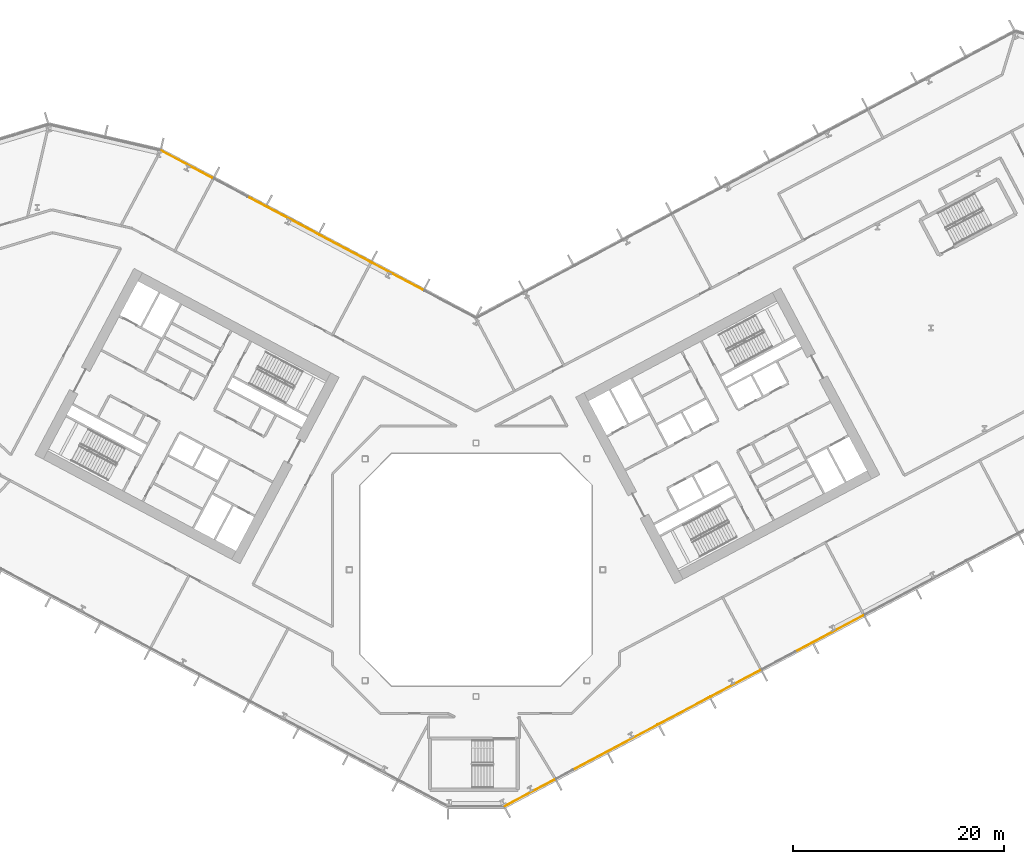
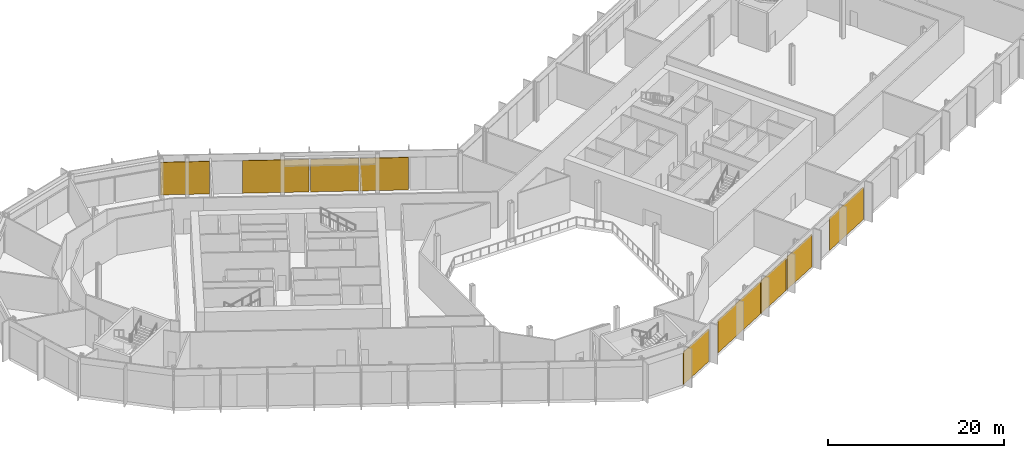
# One storey, part 26 of 31: 9 coverings, 2 elements without a shape of their own.
"""IFC4 building model written with IfcOpenShell, lengths in metres."""

from ifc_helpers import new_model, si_unit, direction, frame, origin, origin_2d, place, context, subcontext, project, spatial, rectangle, extrude, material, layer, layer_set, type_object, element, aggregate, save


model = new_model("IFC4")

# Units and contexts
model_context = context("Model", 3, precision=1e-05, world=origin(), true_north=direction((0.0, 1.0)))
body_context = subcontext(model_context, "Body", "Model", "MODEL_VIEW")
ifc_project = project(units=[si_unit("LENGTHUNIT", "METRE"), si_unit("AREAUNIT", "SQUARE_METRE"), si_unit("VOLUMEUNIT", "CUBIC_METRE"), si_unit("PLANEANGLEUNIT", "RADIAN"), si_unit("MASSUNIT", "GRAM", prefix="KILO")], contexts=[model_context])

# Site, building, storey
site_placement = place(None, origin())
site = spatial("IfcSite", under=ifc_project, at=site_placement, CompositionType="ELEMENT")
building_placement = place(site_placement, origin())
building = spatial("IfcBuilding", under=site, at=building_placement, Name="Cormorant Relay Tower", CompositionType="ELEMENT")
storey_placement = place(building_placement, frame((0.0, 0.0, 23.0)))
storey = spatial("IfcBuildingStorey", under=building, at=storey_placement, Name="L04", CompositionType="ELEMENT", Elevation=23.0)

# Curtain wall, coverings
ifc_material_1 = material(Name="Aluminium 6063-T6 anodised bronze", Category="aluminium")
ifc_layer_1 = layer(ifc_material_1, 0.235107421875)
ifc_layer_set_1 = layer_set([ifc_layer_1], Name="CW6 data hall curtain wall with mineral wool panels")
curtain_wall_type = type_object("IfcCurtainWallType", Name="CW6 data hall curtain wall with mineral wool panels", PredefinedType="NOTDEFINED", material=ifc_layer_set_1)
curtain_wall_1_placement = place(storey_placement, origin())
curtain_wall_1 = element("IfcCurtainWall", 1, at=curtain_wall_1_placement, inside=storey, type_object=curtain_wall_type, Name="CW6 curtain wall 2", PredefinedType="NOTDEFINED")
ifc_material_2 = material(Name="Mineral wool cored anodised bronze aluminium cassette panel", Category="aluminium")
ifc_layer_2 = layer(ifc_material_2, 0.074951171875)
ifc_layer_set_2 = layer_set([ifc_layer_2], Name="CW6 mineral wool cassette panel 75")
covering_type = type_object("IfcCoveringType", Name="CW6 mineral wool cassette panel 75", PredefinedType="CLADDING", material=ifc_layer_set_2)
covering_1_placement = place(storey_placement, frame((5.099853515625, -21.11474609375, 0.0), z_axis=(0.0, 0.0, 1.0), x_axis=(0.882947592859, 0.469471562786, 0.0)))
covering_1 = element("IfcCovering", 2, at=covering_1_placement, type_object=covering_type, Name="CW6 panel S00", PredefinedType="CLADDING", context=body_context, shape_type="SweptSolid", body=[
    extrude(rectangle(XDim=5.36181640625, YDim=0.074951171875, at=origin_2d()), origin(), (0.0, 0.0, 1.0), 4.5),
])
covering_2_placement = place(storey_placement, frame((13.1943359375, -16.810791015625, 0.0), z_axis=(0.0, 0.0, 1.0), x_axis=(0.882947592859, 0.469471562786, 0.0)))
covering_2 = element("IfcCovering", 3, at=covering_2_placement, type_object=covering_type, Name="CW6 panel S02", PredefinedType="CLADDING", context=body_context, shape_type="SweptSolid", body=[
    extrude(rectangle(XDim=9.07373046875, YDim=0.074951171875, at=origin_2d()), origin(), (0.0, 0.0, 1.0), 4.5),
])
covering_3_placement = place(storey_placement, frame((19.69970703125, -13.351806640625, 0.0), z_axis=(0.0, 0.0, 1.0), x_axis=(0.882947592859, 0.469471562786, 0.0)))
covering_3 = element("IfcCovering", 4, at=covering_3_placement, type_object=covering_type, Name="CW6 panel S03", PredefinedType="CLADDING", context=body_context, shape_type="SweptSolid", body=[
    extrude(rectangle(XDim=5.36181640625, YDim=0.074951171875, at=origin_2d()), origin(), (0.0, 0.0, 1.0), 4.5),
])
covering_4_placement = place(storey_placement, frame((24.56640625, -10.76416015625, 0.0), z_axis=(0.0, 0.0, 1.0), x_axis=(0.882947592859, 0.469471562786, 0.0)))
covering_4 = element("IfcCovering", 5, at=covering_4_placement, type_object=covering_type, Name="CW6 panel S04", PredefinedType="CLADDING", context=body_context, shape_type="SweptSolid", body=[
    extrude(rectangle(XDim=5.36181640625, YDim=0.074951171875, at=origin_2d()), origin(), (0.0, 0.0, 1.0), 4.5),
])
covering_5_placement = place(storey_placement, frame((33.455810546875, -6.03759765625, 0.0), z_axis=(0.0, 0.0, 1.0), x_axis=(0.882947592859, 0.469471562786, 0.0)))
covering_5 = element("IfcCovering", 6, at=covering_5_placement, type_object=covering_type, Name="CW6 panel S06", PredefinedType="CLADDING", context=body_context, shape_type="SweptSolid", body=[
    extrude(rectangle(XDim=7.273681640625, YDim=0.074951171875, at=origin_2d()), origin(), (0.0, 0.0, 1.0), 4.5),
])
aggregate(curtain_wall_1, [covering_1, covering_2, covering_3, covering_4, covering_5])

curtain_wall_2_placement = place(storey_placement, origin())
curtain_wall_2 = element("IfcCurtainWall", 7, at=curtain_wall_2_placement, inside=storey, type_object=curtain_wall_type, Name="CW6 curtain wall 7", PredefinedType="NOTDEFINED")
covering_6_placement = place(storey_placement, frame((-7.45068359375, 27.7880859375, 0.0), z_axis=(0.0, 0.0, 1.0), x_axis=(-0.882947592859, 0.469471562786, 0.0)))
covering_6 = element("IfcCovering", 8, at=covering_6_placement, type_object=covering_type, Name="CW6 panel S02", PredefinedType="CLADDING", context=body_context, shape_type="SweptSolid", body=[
    extrude(rectangle(XDim=5.489013671875, YDim=0.074951171875, at=origin_2d()), origin(), (0.0, 0.0, 1.0), 4.5),
])
covering_7_placement = place(storey_placement, frame((-12.4296875, 30.435546875, 0.0), z_axis=(0.0, 0.0, 1.0), x_axis=(-0.882947592859, 0.469471562786, 0.0)))
covering_7 = element("IfcCovering", 9, at=covering_7_placement, type_object=covering_type, Name="CW6 panel S03", PredefinedType="CLADDING", context=body_context, shape_type="SweptSolid", body=[
    extrude(rectangle(XDim=5.489013671875, YDim=0.074951171875, at=origin_2d()), origin(), (0.0, 0.0, 1.0), 4.5),
])
covering_8_placement = place(storey_placement, frame((-18.308837890625, 33.5615234375, 0.0), z_axis=(0.0, 0.0, 1.0), x_axis=(-0.882947592859, 0.469471562786, 0.0)))
covering_8 = element("IfcCovering", 10, at=covering_8_placement, type_object=covering_type, Name="CW6 panel S04", PredefinedType="CLADDING", context=body_context, shape_type="SweptSolid", body=[
    extrude(rectangle(XDim=7.528076171875, YDim=0.074951171875, at=origin_2d()), origin(), (0.0, 0.0, 1.0), 4.5),
])
covering_9_placement = place(storey_placement, frame((-27.39990234375, 38.395263671875, 0.0), z_axis=(0.0, 0.0, 1.0), x_axis=(-0.882947592859, 0.469471562786, 0.0)))
covering_9 = element("IfcCovering", 11, at=covering_9_placement, type_object=covering_type, Name="CW6 panel S06", PredefinedType="CLADDING", context=body_context, shape_type="SweptSolid", body=[
    extrude(rectangle(XDim=5.56396484375, YDim=0.074951171875, at=origin_2d()), origin(), (0.0, 0.0, 1.0), 4.5),
])
aggregate(curtain_wall_2, [covering_6, covering_7, covering_8, covering_9])

save(model, "model.ifc")
